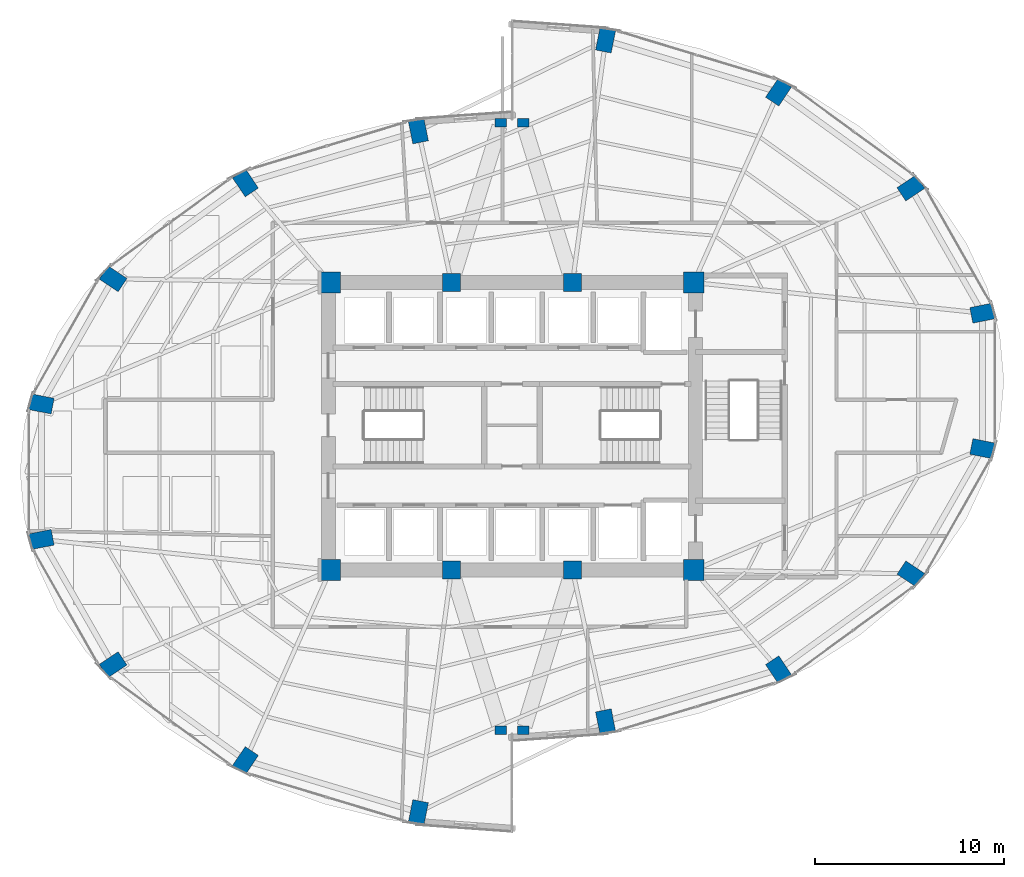
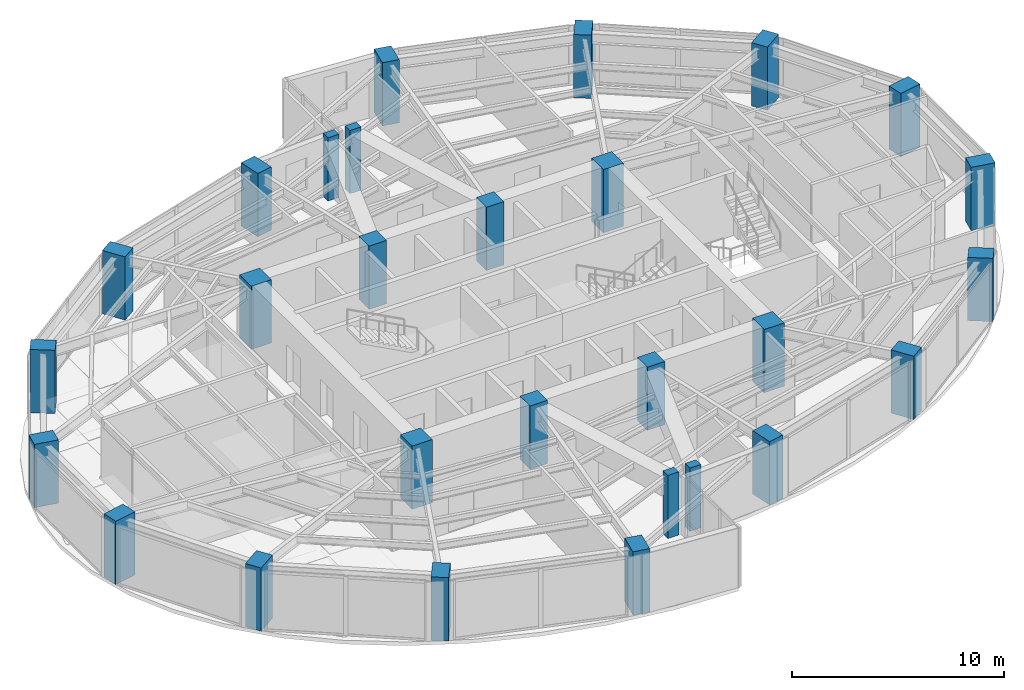
# One storey, part 1 of 24: 28 columns.
"""IFC4 building model written with IfcOpenShell, lengths in metres."""

from ifc_helpers import new_model, si_unit, direction, frame, origin, origin_2d, place, context, subcontext, project, spatial, rectangle, extrude, material, material_profile, profile_set, type_object, element, save


model = new_model("IFC4")

# Units and contexts
model_context = context("Model", 3, precision=1e-05, world=origin(), true_north=direction((0.0, 1.0)))
body_context = subcontext(model_context, "Body", "Model", "MODEL_VIEW")
ifc_project = project(units=[si_unit("LENGTHUNIT", "METRE"), si_unit("AREAUNIT", "SQUARE_METRE"), si_unit("VOLUMEUNIT", "CUBIC_METRE"), si_unit("PLANEANGLEUNIT", "RADIAN"), si_unit("MASSUNIT", "GRAM", prefix="KILO")], contexts=[model_context])

# Site, building, storey
site_placement = place(None, origin())
site = spatial("IfcSite", under=ifc_project, at=site_placement, CompositionType="ELEMENT")
building_placement = place(site_placement, origin())
building = spatial("IfcBuilding", under=site, at=building_placement, Name="Lazwardi Medical Tower", CompositionType="ELEMENT")
storey_placement = place(building_placement, frame((0.0, 0.0, 103.632080078125)))
storey = spatial("IfcBuildingStorey", under=building, at=storey_placement, Name="L26", CompositionType="ELEMENT", Elevation=103.632080078125)

# Columns
ifc_material_1 = material(Name="Concrete C80/95", Category="concrete")
ifc_material_profile_1 = material_profile(ifc_material_1, rectangle(XDim=1.10009765625, YDim=1.10009765625, at=origin_2d()), Name="RC 1100x1100")
ifc_profile_set_1 = profile_set([ifc_material_profile_1], Name="Concrete C80/95")
column_type_1 = type_object("IfcColumnType", Name="COL-CC-L", PredefinedType="COLUMN", material=ifc_profile_set_1)
for number, where, z_axis, x_axis, name in (
    (1, (26.39990234375, 20.39990234375, 0.0), (0.0, 0.0, 1.0), (1.0, 0.0, 0.0), "Core column CC-01 CC1 L26"),
    (2, (45.60009765625, 20.39990234375, 0.0), (0.0, 0.0, 1.0), (1.0, 0.0, 0.0), "Core column CC-01 CC4 L26"),
    (3, (45.60009765625, 35.60009765625, 0.0), (0.0, 0.0, 1.0), (1.0, 0.0, 0.0), "Core column CC-01 CC5 L26"),
    (4, (26.39990234375, 35.60009765625, 0.0), (0.0, 0.0, 1.0), (1.0, 0.0, 0.0), "Core column CC-01 CC8 L26"),
):
    element("IfcColumn", number, at=place(storey_placement, frame(where, z_axis=z_axis, x_axis=x_axis)), inside=storey, type_object=column_type_1, Name=name, PredefinedType="COLUMN", context=body_context, shape_type="SweptSolid", body=[
        extrude(rectangle(XDim=1.10009765625, YDim=1.10009765625, at=origin_2d()), origin(), (0.0, 0.0, 1.0), 3.64794921875),
    ])
ifc_material_2 = material(Name="Concrete C70/85", Category="concrete")
ifc_material_profile_2 = material_profile(ifc_material_2, rectangle(XDim=0.949951171875, YDim=0.949951171875, at=origin_2d()), Name="RC 950x950")
ifc_profile_set_2 = profile_set([ifc_material_profile_2], Name="Concrete C70/85")
column_type_2 = type_object("IfcColumnType", Name="COL-CC-M", PredefinedType="COLUMN", material=ifc_profile_set_2)
for number, where, z_axis, x_axis, name in (
    (5, (32.800048828125, 20.39990234375, 0.0), (0.0, 0.0, 1.0), (1.0, 0.0, 0.0), "Core column CC-02 CC2 L26"),
    (6, (39.199951171875, 20.39990234375, 0.0), (0.0, 0.0, 1.0), (1.0, 0.0, 0.0), "Core column CC-02 CC3 L26"),
    (7, (39.199951171875, 35.60009765625, 0.0), (0.0, 0.0, 1.0), (1.0, 0.0, 0.0), "Core column CC-02 CC6 L26"),
    (8, (32.800048828125, 35.60009765625, 0.0), (0.0, 0.0, 1.0), (1.0, 0.0, 0.0), "Core column CC-02 CC7 L26"),
):
    element("IfcColumn", number, at=place(storey_placement, frame(where, z_axis=z_axis, x_axis=x_axis)), inside=storey, type_object=column_type_2, Name=name, PredefinedType="COLUMN", context=body_context, shape_type="SweptSolid", body=[
        extrude(rectangle(XDim=0.949951171875, YDim=0.949951171875, at=origin_2d()), origin(), (0.0, 0.0, 1.0), 3.64794921875),
    ])
ifc_material_profile_3 = material_profile(ifc_material_2, rectangle(XDim=1.199951171875, YDim=0.840087890625, at=origin_2d()), Name="CFT-RECT 1200x840")
ifc_profile_set_3 = profile_set([ifc_material_profile_3], Name="Concrete C70/85")
column_type_3 = type_object("IfcColumnType", Name="COL-MC-Z2", PredefinedType="COLUMN", material=ifc_profile_set_3)
for number, where, z_axis, x_axis, name in (
    (9, (40.945556640625, 12.402587890625, 0.0), (0.0, 0.0, 1.0), (0.195090322016, -0.980785280403, 0.0), "Mega column MC-04 M01 L26"),
    (10, (50.083740234375, 15.142578125, 0.0), (0.0, 0.0, 1.0), (0.55557023302, -0.831469612303, 0.0), "Mega column MC-04 M02 L26"),
    (11, (57.077880859375, 20.205322265625, 0.0), (0.0, 0.0, 1.0), (0.831469612303, -0.55557023302, 0.0), "Mega column MC-04 M03 L26"),
    (12, (60.86279296875, 26.820068359375, 0.0), (0.0, 0.0, 1.0), (0.980785280403, -0.195090322016, 0.0), "Mega column MC-04 M04 L26"),
    (13, (60.86279296875, 33.97998046875, 0.0), (0.0, 0.0, 1.0), (0.980785280403, 0.195090322016, 0.0), "Mega column MC-04 M05 L26"),
    (14, (57.077880859375, 40.5947265625, 0.0), (0.0, 0.0, 1.0), (0.831469612303, 0.55557023302, 0.0), "Mega column MC-04 M06 L26"),
    (15, (50.083740234375, 45.657470703125, 0.0), (0.0, 0.0, 1.0), (0.55557023302, 0.831469612303, 0.0), "Mega column MC-04 M07 L26"),
    (16, (40.945556640625, 48.3974609375, 0.0), (0.0, 0.0, 1.0), (0.195090322016, 0.980785280403, 0.0), "Mega column MC-04 M08 L26"),
    (17, (31.054443359375, 43.597412109375, 0.0), (0.0, 0.0, 1.0), (-0.195090322016, 0.980785280403, 0.0), "Mega column MC-04 M09 L26"),
    (18, (21.916259765625, 40.857421875, 0.0), (0.0, 0.0, 1.0), (-0.55557023302, 0.831469612303, 0.0), "Mega column MC-04 M10 L26"),
    (19, (14.922119140625, 35.794677734375, 0.0), (0.0, 0.0, 1.0), (-0.831469612303, 0.55557023302, 0.0), "Mega column MC-04 M11 L26"),
    (20, (11.13720703125, 29.179931640625, 0.0), (0.0, 0.0, 1.0), (-0.980785280403, 0.195090322016, 0.0), "Mega column MC-04 M12 L26"),
    (21, (11.13720703125, 22.02001953125, 0.0), (0.0, 0.0, 1.0), (-0.980785280403, -0.195090322016, 0.0), "Mega column MC-04 M13 L26"),
    (22, (14.922119140625, 15.4052734375, 0.0), (0.0, 0.0, 1.0), (-0.831469612303, -0.55557023302, 0.0), "Mega column MC-04 M14 L26"),
    (23, (21.916259765625, 10.342529296875, 0.0), (0.0, 0.0, 1.0), (-0.55557023302, -0.831469612303, 0.0), "Mega column MC-04 M15 L26"),
    (24, (31.054443359375, 7.6025390625, 0.0), (0.0, 0.0, 1.0), (-0.195090322016, -0.980785280403, 0.0), "Mega column MC-04 M16 L26"),
):
    element("IfcColumn", number, at=place(storey_placement, frame(where, z_axis=z_axis, x_axis=x_axis)), inside=storey, type_object=column_type_3, Name=name, PredefinedType="COLUMN", context=body_context, shape_type="SweptSolid", body=[
        extrude(rectangle(XDim=1.199951171875, YDim=0.840087890625, at=origin_2d()), origin(), (0.0, 0.0, 1.0), 3.64794921875),
    ])
ifc_material_3 = material(Name="Concrete C60/75", Category="concrete")
ifc_material_profile_4 = material_profile(ifc_material_3, rectangle(XDim=0.60009765625, YDim=0.449951171875, at=origin_2d()), Name="RC 600x450")
ifc_profile_set_4 = profile_set([ifc_material_profile_4], Name="Concrete C60/75")
column_type_4 = type_object("IfcColumnType", Name="COL-PL-IW", PredefinedType="PILASTER", material=ifc_profile_set_4)
for number, where, z_axis, x_axis, name in (
    (25, (35.39990234375, 44.050048828125, 0.0), (0.0, 0.0, 1.0), (1.0, 0.0, 0.0), "Iwan pilaster column PL-C1 PL1 L26"),
    (26, (36.60009765625, 44.050048828125, 0.0), (0.0, 0.0, 1.0), (1.0, 0.0, 0.0), "Iwan pilaster column PL-C1 PL2 L26"),
    (27, (35.39990234375, 11.949951171875, 0.0), (0.0, 0.0, 1.0), (1.0, 0.0, 0.0), "Iwan pilaster column PL-C1 PL3 L26"),
    (28, (36.60009765625, 11.949951171875, 0.0), (0.0, 0.0, 1.0), (1.0, 0.0, 0.0), "Iwan pilaster column PL-C1 PL4 L26"),
):
    element("IfcColumn", number, at=place(storey_placement, frame(where, z_axis=z_axis, x_axis=x_axis)), inside=storey, type_object=column_type_4, Name=name, PredefinedType="PILASTER", context=body_context, shape_type="SweptSolid", body=[
        extrude(rectangle(XDim=0.60009765625, YDim=0.449951171875, at=origin_2d()), origin(), (0.0, 0.0, 1.0), 3.64794921875),
    ])

save(model, "model.ifc")
